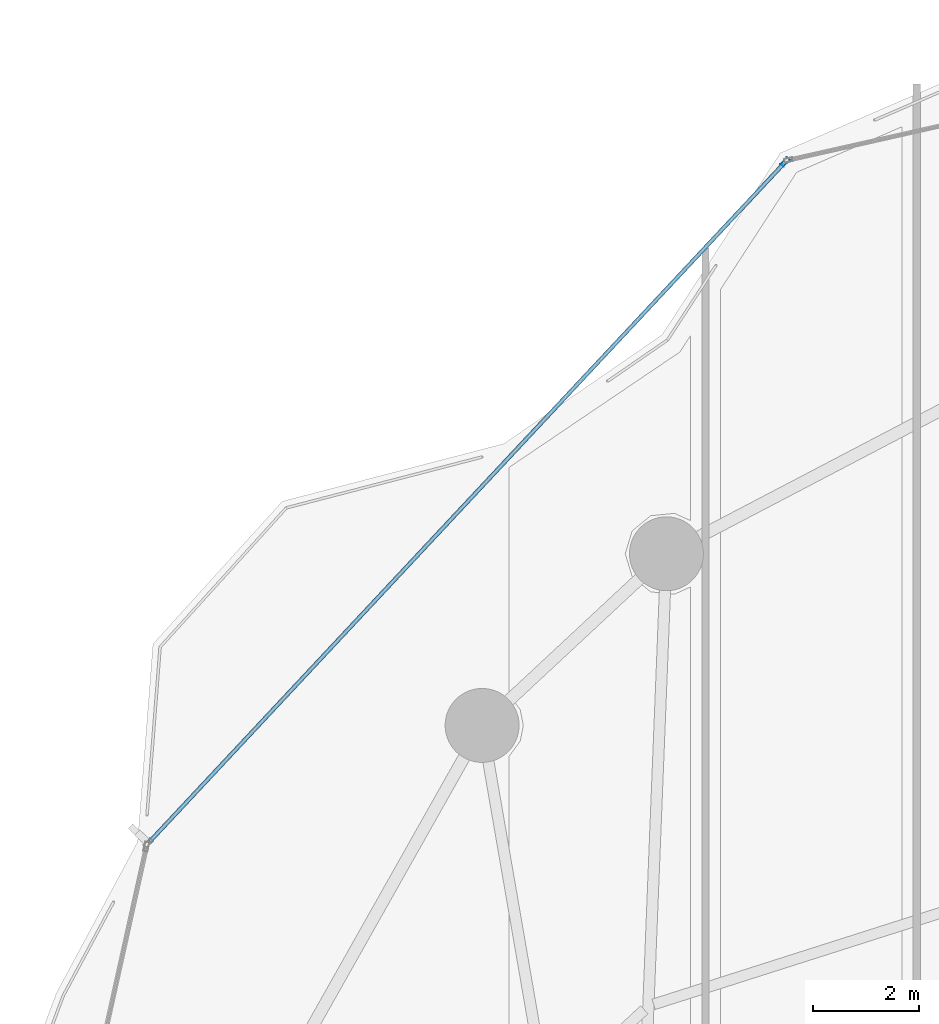
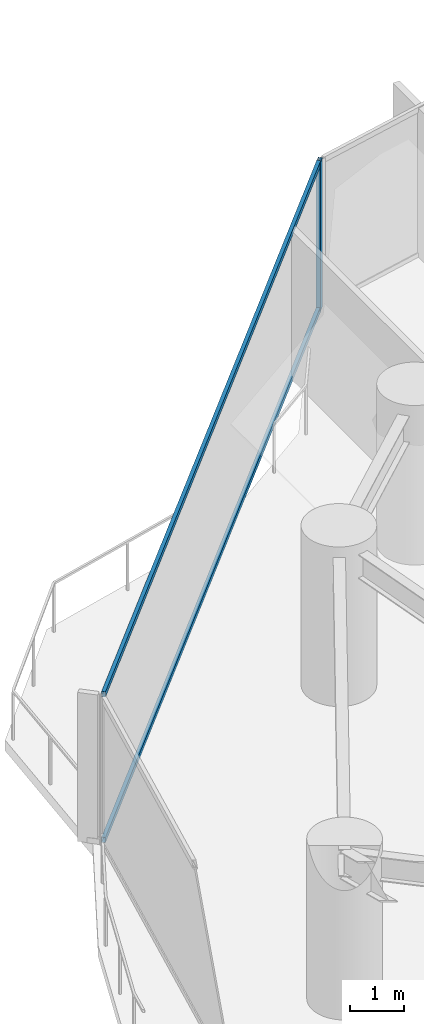
# One storey, part 16 of 33: 3 members, 1 element without a shape of its own.
"""IFC4 building model written with IfcOpenShell, lengths in metres."""

from ifc_helpers import new_model, si_unit, direction, frame, origin, origin_2d, place, context, subcontext, project, spatial, hollow_rectangle, extrude, material, layer, layer_set, material_profile, profile_set, type_object, element, aggregate, save


model = new_model("IFC4")

# Units and contexts
model_context = context("Model", 3, precision=1e-05, world=origin(), true_north=direction((0.0, 1.0)))
body_context = subcontext(model_context, "Body", "Model", "MODEL_VIEW")
ifc_project = project(units=[si_unit("LENGTHUNIT", "METRE"), si_unit("AREAUNIT", "SQUARE_METRE"), si_unit("VOLUMEUNIT", "CUBIC_METRE"), si_unit("PLANEANGLEUNIT", "RADIAN"), si_unit("MASSUNIT", "GRAM", prefix="KILO")], contexts=[model_context])

# Site, building, storey
site_placement = place(None, origin())
site = spatial("IfcSite", under=ifc_project, at=site_placement, CompositionType="ELEMENT")
building_placement = place(site_placement, origin())
building = spatial("IfcBuilding", under=site, at=building_placement, Name="Kazevale Care Tower and Concert Hall", CompositionType="ELEMENT")
storey_placement = place(building_placement, frame((0.0, 0.0, 27.60009765625)))
storey = spatial("IfcBuildingStorey", under=building, at=storey_placement, Name="L06", CompositionType="ELEMENT", Elevation=27.60009765625)

# Curtain wall, members
ifc_material_1 = material(Name="Aluminium 6063-T6 and Low-E Glass", Category="aluminium")
ifc_layer = layer(ifc_material_1, 0.179931640625)
ifc_layer_set = layer_set([ifc_layer], Name="Aluminium 6063-T6 and Low-E Glass")
curtain_wall_type = type_object("IfcCurtainWallType", Name="Convex Checkerboard Finned Curtain Wall CW-2", PredefinedType="NOTDEFINED", material=ifc_layer_set)
curtain_wall_placement = place(storey_placement, origin())
curtain_wall = element("IfcCurtainWall", 1, at=curtain_wall_placement, inside=storey, type_object=curtain_wall_type, Name="cw:L06:f14", PredefinedType="NOTDEFINED")
ifc_material_2 = material(Name="Aluminium 6063-T6", Category="aluminium")
ifc_material_profile_1 = material_profile(ifc_material_2, hollow_rectangle(XDim=0.080078125, YDim=0.179931640625, WallThickness=0.0048828125, at=origin_2d()), Name="ALU80x180x5")
ifc_profile_set_1 = profile_set([ifc_material_profile_1], Name="Aluminium 6063-T6")
member_type_1 = type_object("IfcMemberType", Name="CW-2 Mullion ALU80x180x5", PredefinedType="MULLION", material=ifc_profile_set_1)
member_1_placement = place(storey_placement, frame((25.009765625, 62.847900390625, 0.0), z_axis=(0.0, 0.0, 1.0), x_axis=(-0.730363049987, 0.683059159381, 0.0)))
member_1 = element("IfcMember", 2, at=member_1_placement, type_object=member_type_1, Name="CW-2 mullion 2", PredefinedType="MULLION", context=body_context, shape_type="SweptSolid", body=[
    extrude(hollow_rectangle(XDim=0.080078125, YDim=0.179931640625, WallThickness=0.0048828125, at=origin_2d()), origin(), (0.0, 0.0, 1.0), 3.35986328125),
])
ifc_material_profile_2 = material_profile(ifc_material_2, hollow_rectangle(XDim=0.074951171875, YDim=0.1201171875, WallThickness=0.00390625, at=origin_2d()), Name="ALU75x120x4")
ifc_profile_set_2 = profile_set([ifc_material_profile_2], Name="Aluminium 6063-T6")
member_type_2 = type_object("IfcMemberType", Name="CW-2 Transom ALU75x120x4", PredefinedType="USERDEFINED", material=ifc_profile_set_2)
member_2_placement = place(storey_placement, frame((12.9765625, 49.9814453125, 0.037353515625), z_axis=(0.68306321414, 0.730359257823, 0.0), x_axis=(-0.730359257823, 0.68306321414, 0.0)))
member_2 = element("IfcMember", 3, at=member_2_placement, type_object=member_type_2, Name="CW-2 transom 1.1", ObjectType="TRANSOM", PredefinedType="USERDEFINED", context=body_context, shape_type="SweptSolid", body=[
    extrude(hollow_rectangle(XDim=0.074951171875, YDim=0.1201171875, WallThickness=0.00390625, at=origin_2d()), origin(), (0.0, 0.0, 1.0), 17.576416015625),
])
member_3_placement = place(storey_placement, frame((12.9765625, 49.9814453125, 3.322509765625), z_axis=(0.68306321414, 0.730359257823, 0.0), x_axis=(-0.730359257823, 0.68306321414, 0.0)))
member_3 = element("IfcMember", 4, at=member_3_placement, type_object=member_type_2, Name="CW-2 transom 1.2", ObjectType="TRANSOM", PredefinedType="USERDEFINED", context=body_context, shape_type="SweptSolid", body=[
    extrude(hollow_rectangle(XDim=0.074951171875, YDim=0.1201171875, WallThickness=0.00390625, at=origin_2d()), origin(), (0.0, 0.0, 1.0), 17.576416015625),
])
aggregate(curtain_wall, [member_1, member_2, member_3])

save(model, "model.ifc")
